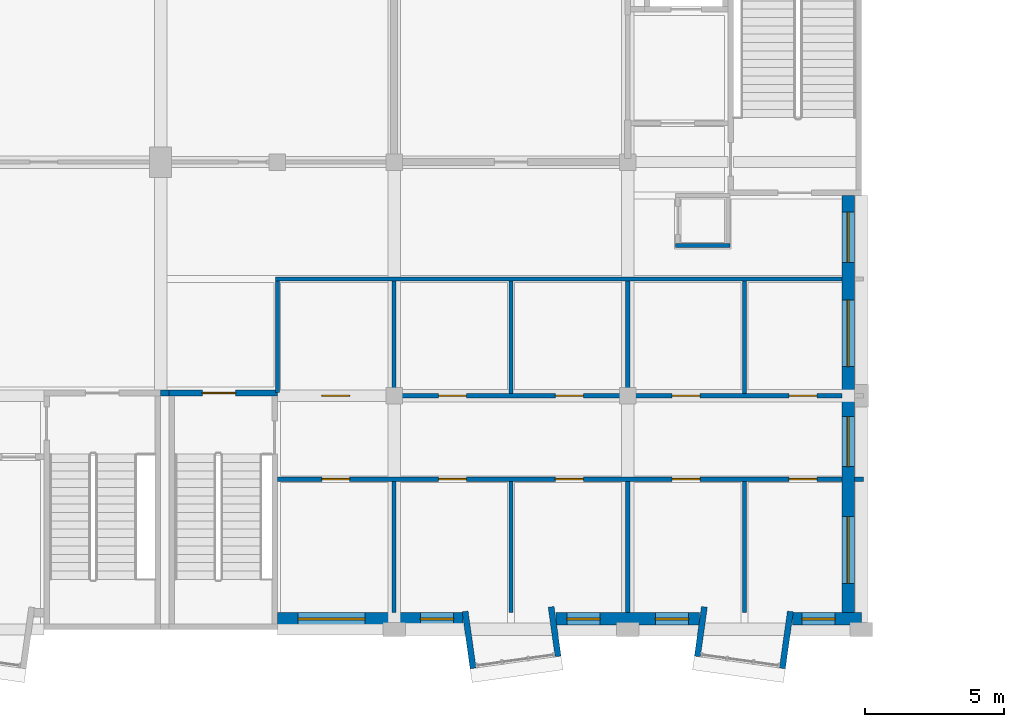
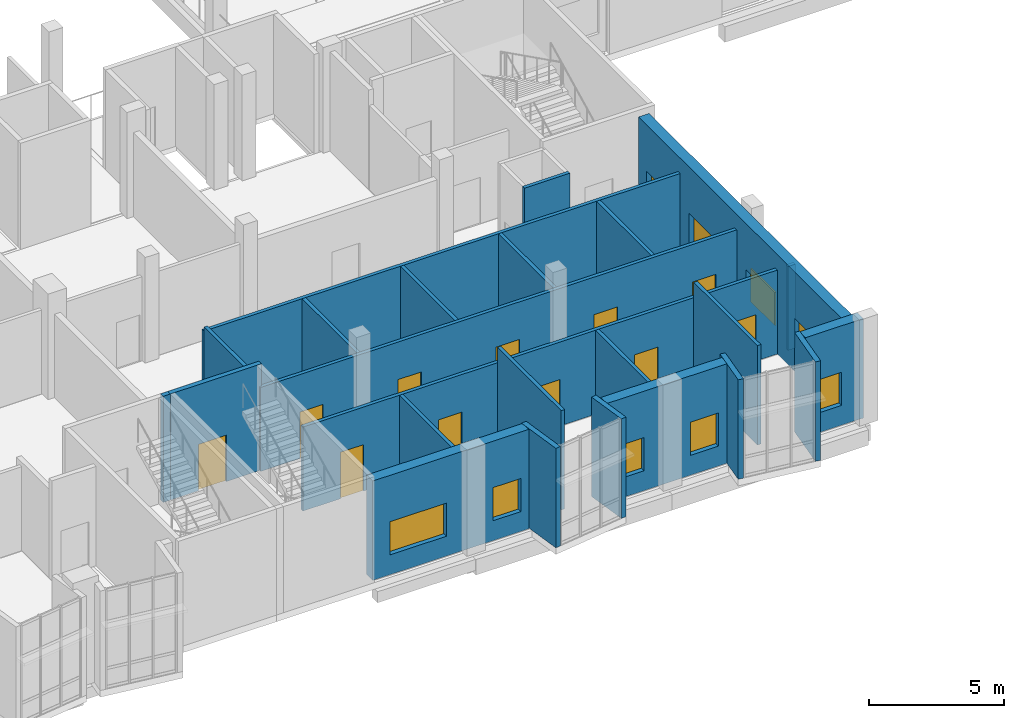
# One storey, part 31 of 91: 24 walls, 11 doors, 9 windows, 20 openings.
"""IFC4 building model written with IfcOpenShell, lengths in metres."""

from ifc_helpers import new_model, si_unit, direction, frame, frame_2d, origin, place, context, subcontext, project, spatial, rectangle, extrude, material, layer, layer_set, type_object, element, fill, save


model = new_model("IFC4")

# Units and contexts
model_context = context("Model", 3, precision=1e-05, world=origin(), true_north=direction((0.0, 1.0)))
body_context = subcontext(model_context, "Body", "Model", "MODEL_VIEW")
ifc_project = project(units=[si_unit("LENGTHUNIT", "METRE"), si_unit("AREAUNIT", "SQUARE_METRE"), si_unit("VOLUMEUNIT", "CUBIC_METRE"), si_unit("PLANEANGLEUNIT", "RADIAN"), si_unit("MASSUNIT", "GRAM", prefix="KILO")], contexts=[model_context])

# Site, building, storey
site_placement = place(None, origin())
site = spatial("IfcSite", under=ifc_project, at=site_placement, CompositionType="ELEMENT")
building_placement = place(site_placement, origin())
building = spatial("IfcBuilding", under=site, at=building_placement, Name="Kiln Court Media Centre", CompositionType="ELEMENT")
storey_placement = place(building_placement, frame((0.0, 0.0, 5.39990234375)))
storey = spatial("IfcBuildingStorey", under=building, at=storey_placement, Name="L01", CompositionType="ELEMENT", Elevation=5.39990234375)

# Walls
ifc_material_1 = material(Name="Brick masonry facing leaf with RC backing", Category="masonry")
ifc_layer_1 = layer(ifc_material_1, 0.215087890625)
ifc_layer_set_1 = layer_set([ifc_layer_1], Name="Brick masonry bay cheek wall 215")
wall_type_1 = type_object("IfcWallType", Name="Brick masonry bay cheek wall 215", PredefinedType="SOLIDWALL", material=ifc_layer_set_1)
wall_1_placement = place(storey_placement, frame((44.5517578125, 0.64501953125, 0.0), z_axis=(0.0, 0.0, 1.0), x_axis=(0.139173441018, -0.990268020949, 0.0)))
element("IfcWall", 1, at=wall_1_placement, inside=storey, type_object=wall_type_1, Name="BAY V6B-S-L01-02 cheek L", PredefinedType="SOLIDWALL", context=body_context, shape_type="SweptSolid", body=[
    extrude(rectangle(XDim=2.068115234375, YDim=0.215087890625, at=frame_2d((1.0341796875, 0.0))), origin(), (0.0, 0.0, 1.0), 4.5),
])
for number, where, z_axis, x_axis, name in (
    (2, (47.64404296875, 0.808837890625, 0.0), (0.0, 0.0, 1.0), (0.139161311926, -0.990269725511, 0.0), "BAY V6B-S-L01-02 cheek R"),
    (3, (53.156005859375, 0.808837890625, 0.0), (0.0, 0.0, 1.0), (-0.139161311926, -0.990269725511, 0.0), "BAY V6B-S-L01-03 cheek L"),
):
    element("IfcWall", number, at=place(storey_placement, frame(where, z_axis=z_axis, x_axis=x_axis)), inside=storey, type_object=wall_type_1, Name=name, PredefinedType="SOLIDWALL", context=body_context, shape_type="SweptSolid", body=[
        extrude(rectangle(XDim=1.800048828125, YDim=0.215087890625, at=frame_2d((0.89990234375, 0.0))), origin(), (0.0, 0.0, 1.0), 4.5),
    ])
wall_2_placement = place(storey_placement, frame((56.248291015625, 0.64501953125, 0.0), z_axis=(0.0, 0.0, 1.0), x_axis=(-0.139173441018, -0.990268020949, 0.0)))
element("IfcWall", 4, at=wall_2_placement, inside=storey, type_object=wall_type_1, Name="BAY V6B-S-L01-03 cheek R", PredefinedType="SOLIDWALL", context=body_context, shape_type="SweptSolid", body=[
    extrude(rectangle(XDim=2.068115234375, YDim=0.215087890625, at=frame_2d((1.0341796875, 0.0))), origin(), (0.0, 0.0, 1.0), 4.5),
])

# Wall, openings, windows
ifc_material_2 = material(Name="Brick masonry facing leaf with RC backing", Category="masonry")
ifc_layer_2 = layer(ifc_material_2, 0.449951171875)
ifc_layer_set_2 = layer_set([ifc_layer_2], Name="Brick masonry cavity wall 450")
wall_type_2 = type_object("IfcWallType", Name="Brick masonry cavity wall 450", PredefinedType="SOLIDWALL", material=ifc_layer_set_2)
wall_3_placement = place(storey_placement, frame((58.324951171875, 15.60009765625, 0.0), z_axis=(0.0, 0.0, 1.0), x_axis=(0.0, -1.0, 0.0)))
wall_3 = element("IfcWall", 5, at=wall_3_placement, inside=storey, type_object=wall_type_2, Name="V6B-E facade L01 3044", PredefinedType="SOLIDWALL", context=body_context, shape_type="SweptSolid", body=[
    extrude(rectangle(XDim=15.0, YDim=0.449951171875, at=frame_2d((7.5, 0.0))), origin(), (0.0, 0.0, 1.0), 4.5),
])
opening_1_placement = place(wall_3_placement, frame((11.550048828125, 0.0, 0.89990234375)))
opening_1 = element("IfcOpeningElement", 6, at=opening_1_placement, cuts=wall_3, Name="Opening WN1002", PredefinedType="OPENING", context=body_context, shape_type="SweptSolid", body=[
    extrude(rectangle(XDim=2.39990234375, YDim=1.5, at=frame_2d((1.199951171875, 0.75))), frame((0.0, 0.23486328125, 0.0), z_axis=(0.0, -1.0, 0.0), x_axis=(1.0, 0.0, 0.0)), (0.0, 0.0, 1.0), 0.469970703125),
])
opening_2_placement = place(wall_3_placement, frame((7.949951171875, 0.0, 0.89990234375)))
opening_2 = element("IfcOpeningElement", 7, at=opening_2_placement, cuts=wall_3, Name="Opening WN1003", PredefinedType="OPENING", context=body_context, shape_type="SweptSolid", body=[
    extrude(rectangle(XDim=1.800048828125, YDim=1.5, at=frame_2d((0.89990234375, 0.75))), frame((0.0, 0.23486328125, 0.0), z_axis=(0.0, -1.0, 0.0), x_axis=(1.0, 0.0, 0.0)), (0.0, 0.0, 1.0), 0.469970703125),
])
opening_3_placement = place(wall_3_placement, frame((3.75, 0.0, 0.89990234375)))
opening_3 = element("IfcOpeningElement", 8, at=opening_3_placement, cuts=wall_3, Name="Opening WN1004", PredefinedType="OPENING", context=body_context, shape_type="SweptSolid", body=[
    extrude(rectangle(XDim=2.39990234375, YDim=1.5, at=frame_2d((1.199951171875, 0.75))), frame((0.0, 0.23486328125, 0.0), z_axis=(0.0, -1.0, 0.0), x_axis=(1.0, 0.0, 0.0)), (0.0, 0.0, 1.0), 0.469970703125),
])
opening_4_placement = place(wall_3_placement, frame((0.60009765625, 0.0, 0.89990234375)))
opening_4 = element("IfcOpeningElement", 9, at=opening_4_placement, cuts=wall_3, Name="Opening WN1005", PredefinedType="OPENING", context=body_context, shape_type="SweptSolid", body=[
    extrude(rectangle(XDim=1.800048828125, YDim=1.5, at=frame_2d((0.89990234375, 0.75))), frame((0.0, 0.23486328125, 0.0), z_axis=(0.0, -1.0, 0.0), x_axis=(1.0, 0.0, 0.0)), (0.0, 0.0, 1.0), 0.469970703125),
])
ifc_material_3 = material(Name="Aluminium 6063-T6", Category="aluminium")
window_type_1 = type_object("IfcWindowType", Name="Aluminium window 1800x1500", PartitioningType="DOUBLE_PANEL_VERTICAL", PredefinedType="WINDOW", material=ifc_material_3)
window_1_placement = place(opening_2_placement, origin())
window_1 = element("IfcWindow", 10, at=window_1_placement, inside=storey, type_object=window_type_1, Name="WA window WN1003", OverallHeight=1.5, OverallWidth=1.800048828125, PartitioningType="SINGLE_PANEL", PredefinedType="WINDOW", context=body_context, shape_type="SweptSolid", body=[
    extrude(rectangle(XDim=1.800048828125, YDim=1.5, at=frame_2d((0.89990234375, 0.75))), frame((0.0, 0.030029296875, 0.0), z_axis=(0.0, -1.0, 0.0), x_axis=(1.0, 0.0, 0.0)), (0.0, 0.0, 1.0), 0.06005859375),
])
fill(opening_2, window_1)
window_2_placement = place(opening_4_placement, origin())
window_2 = element("IfcWindow", 11, at=window_2_placement, inside=storey, type_object=window_type_1, Name="WA window WN1005", OverallHeight=1.5, OverallWidth=1.800048828125, PartitioningType="SINGLE_PANEL", PredefinedType="WINDOW", context=body_context, shape_type="SweptSolid", body=[
    extrude(rectangle(XDim=1.800048828125, YDim=1.5, at=frame_2d((0.89990234375, 0.75))), frame((0.0, 0.030029296875, 0.0), z_axis=(0.0, -1.0, 0.0), x_axis=(1.0, 0.0, 0.0)), (0.0, 0.0, 1.0), 0.06005859375),
])
fill(opening_4, window_2)
ifc_material_4 = material(Name="Aluminium 6063-T6", Category="aluminium")
window_type_2 = type_object("IfcWindowType", Name="Aluminium window 2400x1500", PartitioningType="TRIPLE_PANEL_VERTICAL", PredefinedType="WINDOW", material=ifc_material_4)
window_3_placement = place(opening_1_placement, origin())
window_3 = element("IfcWindow", 12, at=window_3_placement, inside=storey, type_object=window_type_2, Name="WC window WN1002", OverallHeight=1.5, OverallWidth=2.39990234375, PartitioningType="SINGLE_PANEL", PredefinedType="WINDOW", context=body_context, shape_type="SweptSolid", body=[
    extrude(rectangle(XDim=2.39990234375, YDim=1.5, at=frame_2d((1.199951171875, 0.75))), frame((0.0, 0.030029296875, 0.0), z_axis=(0.0, -1.0, 0.0), x_axis=(1.0, 0.0, 0.0)), (0.0, 0.0, 1.0), 0.06005859375),
])
fill(opening_1, window_3)
window_4_placement = place(opening_3_placement, origin())
window_4 = element("IfcWindow", 13, at=window_4_placement, inside=storey, type_object=window_type_2, Name="WC window WN1004", OverallHeight=1.5, OverallWidth=2.39990234375, PartitioningType="SINGLE_PANEL", PredefinedType="WINDOW", context=body_context, shape_type="SweptSolid", body=[
    extrude(rectangle(XDim=2.39990234375, YDim=1.5, at=frame_2d((1.199951171875, 0.75))), frame((0.0, 0.030029296875, 0.0), z_axis=(0.0, -1.0, 0.0), x_axis=(1.0, 0.0, 0.0)), (0.0, 0.0, 1.0), 0.06005859375),
])
fill(opening_3, window_4)

wall_4_placement = place(storey_placement, frame((44.481201171875, 0.375, 0.0), z_axis=(0.0, 0.0, 1.0), x_axis=(-1.0, 0.0, 0.0)))
wall_4 = element("IfcWall", 14, at=wall_4_placement, inside=storey, type_object=wall_type_2, Name="V6B-S facade L01 3049", PredefinedType="SOLIDWALL", context=body_context, shape_type="SweptSolid", body=[
    extrude(rectangle(XDim=6.68115234375, YDim=0.449951171875, at=frame_2d((3.340576171875, 0.0))), origin(), (0.0, 0.0, 1.0), 4.5),
])
opening_5_placement = place(wall_4_placement, frame((3.531005859375, 0.0, 0.89990234375)))
opening_5 = element("IfcOpeningElement", 15, at=opening_5_placement, cuts=wall_4, Name="Opening WN1006", PredefinedType="OPENING", context=body_context, shape_type="SweptSolid", body=[
    extrude(rectangle(XDim=2.39990234375, YDim=1.5, at=frame_2d((1.199951171875, 0.75))), frame((0.0, 0.23486328125, 0.0), z_axis=(0.0, -1.0, 0.0), x_axis=(1.0, 0.0, 0.0)), (0.0, 0.0, 1.0), 0.469970703125),
])
opening_6_placement = place(wall_4_placement, frame((0.340576171875, 0.0, 0.89990234375)))
opening_6 = element("IfcOpeningElement", 16, at=opening_6_placement, cuts=wall_4, Name="Opening WN1007", PredefinedType="OPENING", context=body_context, shape_type="SweptSolid", body=[
    extrude(rectangle(XDim=1.199951171875, YDim=1.5, at=frame_2d((0.60009765625, 0.75))), frame((0.0, 0.23486328125, 0.0), z_axis=(0.0, -1.0, 0.0), x_axis=(1.0, 0.0, 0.0)), (0.0, 0.0, 1.0), 0.469970703125),
])
ifc_material_5 = material(Name="Aluminium 6063-T6", Category="aluminium")
window_type_3 = type_object("IfcWindowType", Name="Aluminium window 1200x1500", PartitioningType="DOUBLE_PANEL_VERTICAL", PredefinedType="WINDOW", material=ifc_material_5)
window_5_placement = place(opening_6_placement, origin())
window_5 = element("IfcWindow", 17, at=window_5_placement, inside=storey, type_object=window_type_3, Name="WB window WN1007", OverallHeight=1.5, OverallWidth=1.199951171875, PartitioningType="SINGLE_PANEL", PredefinedType="WINDOW", context=body_context, shape_type="SweptSolid", body=[
    extrude(rectangle(XDim=1.199951171875, YDim=1.5, at=frame_2d((0.60009765625, 0.75))), frame((0.0, 0.030029296875, 0.0), z_axis=(0.0, -1.0, 0.0), x_axis=(1.0, 0.0, 0.0)), (0.0, 0.0, 1.0), 0.06005859375),
])
fill(opening_6, window_5)
window_6_placement = place(opening_5_placement, origin())
window_6 = element("IfcWindow", 18, at=window_6_placement, inside=storey, type_object=window_type_2, Name="WC window WN1006", OverallHeight=1.5, OverallWidth=2.39990234375, PartitioningType="SINGLE_PANEL", PredefinedType="WINDOW", context=body_context, shape_type="SweptSolid", body=[
    extrude(rectangle(XDim=2.39990234375, YDim=1.5, at=frame_2d((1.199951171875, 0.75))), frame((0.0, 0.030029296875, 0.0), z_axis=(0.0, -1.0, 0.0), x_axis=(1.0, 0.0, 0.0)), (0.0, 0.0, 1.0), 0.06005859375),
])
fill(opening_5, window_6)

wall_5_placement = place(storey_placement, frame((52.986572265625, 0.375, 0.0), z_axis=(0.0, 0.0, 1.0), x_axis=(-1.0, 0.0, 0.0)))
wall_5 = element("IfcWall", 19, at=wall_5_placement, inside=storey, type_object=wall_type_2, Name="V6B-S facade L01 3050", PredefinedType="SOLIDWALL", context=body_context, shape_type="SweptSolid", body=[
    extrude(rectangle(XDim=5.173095703125, YDim=0.449951171875, at=frame_2d((2.58642578125, 0.0))), origin(), (0.0, 0.0, 1.0), 4.5),
])
opening_7_placement = place(wall_5_placement, frame((3.579833984375, 0.0, 0.89990234375)))
opening_7 = element("IfcOpeningElement", 20, at=opening_7_placement, cuts=wall_5, Name="Opening WN1008", PredefinedType="OPENING", context=body_context, shape_type="SweptSolid", body=[
    extrude(rectangle(XDim=1.199951171875, YDim=1.5, at=frame_2d((0.60009765625, 0.75))), frame((0.0, 0.23486328125, 0.0), z_axis=(0.0, -1.0, 0.0), x_axis=(1.0, 0.0, 0.0)), (0.0, 0.0, 1.0), 0.469970703125),
])
opening_8_placement = place(wall_5_placement, frame((0.393310546875, 0.0, 0.89990234375)))
opening_8 = element("IfcOpeningElement", 21, at=opening_8_placement, cuts=wall_5, Name="Opening WN1009", PredefinedType="OPENING", context=body_context, shape_type="SweptSolid", body=[
    extrude(rectangle(XDim=1.199951171875, YDim=1.5, at=frame_2d((0.60009765625, 0.75))), frame((0.0, 0.23486328125, 0.0), z_axis=(0.0, -1.0, 0.0), x_axis=(1.0, 0.0, 0.0)), (0.0, 0.0, 1.0), 0.469970703125),
])
window_7_placement = place(opening_7_placement, origin())
window_7 = element("IfcWindow", 22, at=window_7_placement, inside=storey, type_object=window_type_3, Name="WB window WN1008", OverallHeight=1.5, OverallWidth=1.199951171875, PartitioningType="SINGLE_PANEL", PredefinedType="WINDOW", context=body_context, shape_type="SweptSolid", body=[
    extrude(rectangle(XDim=1.199951171875, YDim=1.5, at=frame_2d((0.60009765625, 0.75))), frame((0.0, 0.030029296875, 0.0), z_axis=(0.0, -1.0, 0.0), x_axis=(1.0, 0.0, 0.0)), (0.0, 0.0, 1.0), 0.06005859375),
])
fill(opening_7, window_7)
window_8_placement = place(opening_8_placement, origin())
window_8 = element("IfcWindow", 23, at=window_8_placement, inside=storey, type_object=window_type_3, Name="WB window WN1009", OverallHeight=1.5, OverallWidth=1.199951171875, PartitioningType="SINGLE_PANEL", PredefinedType="WINDOW", context=body_context, shape_type="SweptSolid", body=[
    extrude(rectangle(XDim=1.199951171875, YDim=1.5, at=frame_2d((0.60009765625, 0.75))), frame((0.0, 0.030029296875, 0.0), z_axis=(0.0, -1.0, 0.0), x_axis=(1.0, 0.0, 0.0)), (0.0, 0.0, 1.0), 0.06005859375),
])
fill(opening_8, window_8)

# Wall, opening, window
wall_6_placement = place(storey_placement, frame((58.800048828125, 0.375, 0.0), z_axis=(0.0, 0.0, 1.0), x_axis=(-1.0, 0.0, 0.0)))
wall_6 = element("IfcWall", 24, at=wall_6_placement, inside=storey, type_object=wall_type_2, Name="V6B-S facade L01 3051", PredefinedType="SOLIDWALL", context=body_context, shape_type="SweptSolid", body=[
    extrude(rectangle(XDim=2.481201171875, YDim=0.449951171875, at=frame_2d((1.24072265625, 0.0))), origin(), (0.0, 0.0, 1.0), 4.5),
])
opening_9_placement = place(wall_6_placement, frame((0.940673828125, 0.0, 0.89990234375)))
opening_9 = element("IfcOpeningElement", 25, at=opening_9_placement, cuts=wall_6, Name="Opening WN1010", PredefinedType="OPENING", context=body_context, shape_type="SweptSolid", body=[
    extrude(rectangle(XDim=1.199951171875, YDim=1.5, at=frame_2d((0.60009765625, 0.75))), frame((0.0, 0.23486328125, 0.0), z_axis=(0.0, -1.0, 0.0), x_axis=(1.0, 0.0, 0.0)), (0.0, 0.0, 1.0), 0.469970703125),
])
window_9_placement = place(opening_9_placement, origin())
window_9 = element("IfcWindow", 26, at=window_9_placement, inside=storey, type_object=window_type_3, Name="WB window WN1010", OverallHeight=1.5, OverallWidth=1.199951171875, PartitioningType="SINGLE_PANEL", PredefinedType="WINDOW", context=body_context, shape_type="SweptSolid", body=[
    extrude(rectangle(XDim=1.199951171875, YDim=1.5, at=frame_2d((0.60009765625, 0.75))), frame((0.0, 0.030029296875, 0.0), z_axis=(0.0, -1.0, 0.0), x_axis=(1.0, 0.0, 0.0)), (0.0, 0.0, 1.0), 0.06005859375),
])
fill(opening_9, window_9)

# Wall, opening, door
ifc_material_6 = material(Name="Concrete C40/50", Category="concrete")
ifc_layer_3 = layer(ifc_material_6, 0.199951171875)
ifc_layer_set_3 = layer_set([ifc_layer_3], Name="Concrete C40/50 shear wall 200")
wall_type_3 = type_object("IfcWallType", Name="Concrete C40/50 shear wall 200", PredefinedType="SHEAR", material=ifc_layer_set_3)
wall_7_placement = place(storey_placement, frame((33.89990234375, 8.5, 0.0), z_axis=(0.0, 0.0, 1.0), x_axis=(1.0, 0.0, 0.0)))
wall_7 = element("IfcWall", 27, at=wall_7_placement, inside=storey, type_object=wall_type_3, Name="L01-W-1013", PredefinedType="SHEAR", context=body_context, shape_type="SweptSolid", body=[
    extrude(rectangle(XDim=3.900146484375, YDim=0.199951171875, at=frame_2d((1.9501953125, 0.0))), origin(), (0.0, 0.0, 1.0), 4.800048828125),
])
opening_10_placement = place(wall_7_placement, frame((1.2001953125, 0.0, 0.0)))
opening_10 = element("IfcOpeningElement", 28, at=opening_10_placement, cuts=wall_7, Name="Opening D1016", PredefinedType="OPENING", context=body_context, shape_type="SweptSolid", body=[
    extrude(rectangle(XDim=1.199951171875, YDim=2.10009765625, at=frame_2d((0.60009765625, 1.050048828125))), frame((0.0, 0.10986328125, 0.0), z_axis=(0.0, -1.0, 0.0), x_axis=(1.0, 0.0, 0.0)), (0.0, 0.0, 1.0), 0.219970703125),
])
ifc_material_7 = material(Name="Steel S275", Category="steel")
door_type_1 = type_object("IfcDoorType", Name="Steel stair door 1200 x 2100 FD180", OperationType="SINGLE_SWING_LEFT", PredefinedType="DOOR", material=ifc_material_7)
door_1_placement = place(opening_10_placement, origin())
door_1 = element("IfcDoor", 29, at=door_1_placement, inside=storey, type_object=door_type_1, Name="Stair 4 / Stair 4 Lobby", OperationType="SINGLE_SWING_RIGHT", OverallHeight=2.10009765625, OverallWidth=1.199951171875, PredefinedType="DOOR", context=body_context, shape_type="SweptSolid", body=[
    extrude(rectangle(XDim=1.199951171875, YDim=2.10009765625, at=frame_2d((0.60009765625, 1.050048828125))), frame((0.0, 0.02490234375, 0.0), z_axis=(0.0, -1.0, 0.0), x_axis=(1.0, 0.0, 0.0)), (0.0, 0.0, 1.0), 0.050048828125),
])
fill(opening_10, door_1)

# Wall
wall_8_placement = place(storey_placement, frame((33.60009765625, 8.5, 0.0), z_axis=(0.0, 0.0, 1.0), x_axis=(1.0, 0.0, 0.0)))
element("IfcWall", 30, at=wall_8_placement, inside=storey, type_object=wall_type_3, Name="L01-W-1150", PredefinedType="SHEAR", context=body_context, shape_type="SweptSolid", body=[
    extrude(rectangle(XDim=0.2998046875, YDim=0.199951171875, at=frame_2d((0.14990234375, 0.0))), origin(), (0.0, 0.0, 1.0), 4.800048828125),
])

# Wall, openings, doors
ifc_material_8 = material(Name="Gypsum plasterboard", Category="gypsum")
ifc_layer_4 = layer(ifc_material_8, 0.14990234375)
ifc_layer_set_4 = layer_set([ifc_layer_4], Name="Gypsum corridor partition 150 EI 60")
wall_type_4 = type_object("IfcWallType", Name="Gypsum corridor partition 150 EI 60", PredefinedType="PARTITIONING", material=ifc_layer_set_4)
wall_9_placement = place(storey_placement, frame((37.800048828125, 5.39990234375, 0.0), z_axis=(0.0, 0.0, 1.0), x_axis=(1.0, 0.0, 0.0)))
wall_9 = element("IfcWall", 31, at=wall_9_placement, inside=storey, type_object=wall_type_4, Name="L01 gypsum corridor partition", PredefinedType="PARTITIONING", context=body_context, shape_type="SweptSolid", body=[
    extrude(rectangle(XDim=20.300048828125, YDim=0.14990234375, at=frame_2d((10.14990234375, 0.0))), origin(), (0.0, 0.0, 1.0), 3.800048828125),
])
opening_11_placement = place(wall_9_placement, frame((1.60009765625, 0.0, 0.0)))
opening_11 = element("IfcOpeningElement", 32, at=opening_11_placement, cuts=wall_9, Name="Opening D1044", PredefinedType="OPENING", context=body_context, shape_type="SweptSolid", body=[
    extrude(rectangle(XDim=1.0, YDim=2.10009765625, at=frame_2d((0.5, 1.050048828125))), frame((0.0, 0.0849609375, 0.0), z_axis=(0.0, -1.0, 0.0), x_axis=(1.0, 0.0, 0.0)), (0.0, 0.0, 1.0), 0.169921875),
])
opening_12_placement = place(wall_9_placement, frame((5.800048828125, 0.0, 0.0)))
opening_12 = element("IfcOpeningElement", 33, at=opening_12_placement, cuts=wall_9, Name="Opening D1045", PredefinedType="OPENING", context=body_context, shape_type="SweptSolid", body=[
    extrude(rectangle(XDim=1.0, YDim=2.10009765625, at=frame_2d((0.5, 1.050048828125))), frame((0.0, 0.0849609375, 0.0), z_axis=(0.0, -1.0, 0.0), x_axis=(1.0, 0.0, 0.0)), (0.0, 0.0, 1.0), 0.169921875),
])
opening_13_placement = place(wall_9_placement, frame((10.0, 0.0, 0.0)))
opening_13 = element("IfcOpeningElement", 34, at=opening_13_placement, cuts=wall_9, Name="Opening D1046", PredefinedType="OPENING", context=body_context, shape_type="SweptSolid", body=[
    extrude(rectangle(XDim=1.0, YDim=2.10009765625, at=frame_2d((0.5, 1.050048828125))), frame((0.0, 0.0849609375, 0.0), z_axis=(0.0, -1.0, 0.0), x_axis=(1.0, 0.0, 0.0)), (0.0, 0.0, 1.0), 0.169921875),
])
opening_14_placement = place(wall_9_placement, frame((14.199951171875, 0.0, 0.0)))
opening_14 = element("IfcOpeningElement", 35, at=opening_14_placement, cuts=wall_9, Name="Opening D1047", PredefinedType="OPENING", context=body_context, shape_type="SweptSolid", body=[
    extrude(rectangle(XDim=1.0, YDim=2.10009765625, at=frame_2d((0.5, 1.050048828125))), frame((0.0, 0.0849609375, 0.0), z_axis=(0.0, -1.0, 0.0), x_axis=(1.0, 0.0, 0.0)), (0.0, 0.0, 1.0), 0.169921875),
])
opening_15_placement = place(wall_9_placement, frame((18.39990234375, 0.0, 0.0)))
opening_15 = element("IfcOpeningElement", 36, at=opening_15_placement, cuts=wall_9, Name="Opening D1048", PredefinedType="OPENING", context=body_context, shape_type="SweptSolid", body=[
    extrude(rectangle(XDim=1.0, YDim=2.10009765625, at=frame_2d((0.5, 1.050048828125))), frame((0.0, 0.0849609375, 0.0), z_axis=(0.0, -1.0, 0.0), x_axis=(1.0, 0.0, 0.0)), (0.0, 0.0, 1.0), 0.169921875),
])
ifc_material_9 = material(Name="Steel S275", Category="steel")
door_type_2 = type_object("IfcDoorType", Name="Steel corridor door 1000 x 2100 FD30S", OperationType="SINGLE_SWING_LEFT", PredefinedType="DOOR", material=ifc_material_9)
door_2_placement = place(opening_11_placement, origin())
door_2 = element("IfcDoor", 37, at=door_2_placement, inside=storey, type_object=door_type_2, Name="Editing Suite 11 / Suite Corridor", OperationType="SINGLE_SWING_RIGHT", OverallHeight=2.10009765625, OverallWidth=1.0, PredefinedType="DOOR", context=body_context, shape_type="SweptSolid", body=[
    extrude(rectangle(XDim=1.0, YDim=2.10009765625, at=frame_2d((0.5, 1.050048828125))), frame((0.0, 0.02490234375, 0.0), z_axis=(0.0, -1.0, 0.0), x_axis=(1.0, 0.0, 0.0)), (0.0, 0.0, 1.0), 0.050048828125),
])
fill(opening_11, door_2)
door_3_placement = place(opening_12_placement, origin())
door_3 = element("IfcDoor", 38, at=door_3_placement, inside=storey, type_object=door_type_2, Name="Editing Suite 12 / Suite Corridor", OperationType="SINGLE_SWING_RIGHT", OverallHeight=2.10009765625, OverallWidth=1.0, PredefinedType="DOOR", context=body_context, shape_type="SweptSolid", body=[
    extrude(rectangle(XDim=1.0, YDim=2.10009765625, at=frame_2d((0.5, 1.050048828125))), frame((0.0, 0.02490234375, 0.0), z_axis=(0.0, -1.0, 0.0), x_axis=(1.0, 0.0, 0.0)), (0.0, 0.0, 1.0), 0.050048828125),
])
fill(opening_12, door_3)
door_4_placement = place(opening_13_placement, origin())
door_4 = element("IfcDoor", 39, at=door_4_placement, inside=storey, type_object=door_type_2, Name="Editing Suite 13 / Suite Corridor", OperationType="SINGLE_SWING_LEFT", OverallHeight=2.10009765625, OverallWidth=1.0, PredefinedType="DOOR", context=body_context, shape_type="SweptSolid", body=[
    extrude(rectangle(XDim=1.0, YDim=2.10009765625, at=frame_2d((0.5, 1.050048828125))), frame((0.0, 0.02490234375, 0.0), z_axis=(0.0, -1.0, 0.0), x_axis=(1.0, 0.0, 0.0)), (0.0, 0.0, 1.0), 0.050048828125),
])
fill(opening_13, door_4)
door_5_placement = place(opening_14_placement, origin())
door_5 = element("IfcDoor", 40, at=door_5_placement, inside=storey, type_object=door_type_2, Name="Editing Suite 14 / Suite Corridor", OperationType="SINGLE_SWING_RIGHT", OverallHeight=2.10009765625, OverallWidth=1.0, PredefinedType="DOOR", context=body_context, shape_type="SweptSolid", body=[
    extrude(rectangle(XDim=1.0, YDim=2.10009765625, at=frame_2d((0.5, 1.050048828125))), frame((0.0, 0.02490234375, 0.0), z_axis=(0.0, -1.0, 0.0), x_axis=(1.0, 0.0, 0.0)), (0.0, 0.0, 1.0), 0.050048828125),
])
fill(opening_14, door_5)
door_6_placement = place(opening_15_placement, origin())
door_6 = element("IfcDoor", 41, at=door_6_placement, inside=storey, type_object=door_type_2, Name="Editing Suite 15 / Suite Corridor", OperationType="SINGLE_SWING_RIGHT", OverallHeight=2.10009765625, OverallWidth=1.0, PredefinedType="DOOR", context=body_context, shape_type="SweptSolid", body=[
    extrude(rectangle(XDim=1.0, YDim=2.10009765625, at=frame_2d((0.5, 1.050048828125))), frame((0.0, 0.02490234375, 0.0), z_axis=(0.0, -1.0, 0.0), x_axis=(1.0, 0.0, 0.0)), (0.0, 0.0, 1.0), 0.050048828125),
])
fill(opening_15, door_6)

# Wall
wall_10_placement = place(storey_placement, frame((58.550048828125, 5.39990234375, 0.0), z_axis=(0.0, 0.0, 1.0), x_axis=(1.0, 0.0, 0.0)))
element("IfcWall", 42, at=wall_10_placement, inside=storey, type_object=wall_type_4, Name="L01 gypsum corridor partition", PredefinedType="PARTITIONING", context=body_context, shape_type="SweptSolid", body=[
    extrude(rectangle(XDim=0.324951171875, YDim=0.14990234375, at=frame_2d((0.16259765625, 0.0))), origin(), (0.0, 0.0, 1.0), 3.800048828125),
])

# Wall, openings, doors
wall_11_placement = place(storey_placement, frame((37.72509765625, 8.39990234375, 0.0), z_axis=(0.0, 0.0, 1.0), x_axis=(1.0, 0.0, 0.0)))
wall_11 = element("IfcWall", 43, at=wall_11_placement, inside=storey, type_object=wall_type_4, Name="L01 gypsum corridor partition", PredefinedType="PARTITIONING", context=body_context, shape_type="SweptSolid", body=[
    extrude(rectangle(XDim=20.375, YDim=0.14990234375, at=frame_2d((10.1875, 0.0))), origin(), (0.0, 0.0, 1.0), 3.800048828125),
])
opening_16_placement = place(wall_11_placement, frame((1.675048828125, 0.0, 0.0)))
opening_16 = element("IfcOpeningElement", 44, at=opening_16_placement, cuts=wall_11, Name="Opening D1049", PredefinedType="OPENING", context=body_context, shape_type="SweptSolid", body=[
    extrude(rectangle(XDim=1.0, YDim=2.10009765625, at=frame_2d((0.5, 1.050048828125))), frame((0.0, 0.0849609375, 0.0), z_axis=(0.0, -1.0, 0.0), x_axis=(1.0, 0.0, 0.0)), (0.0, 0.0, 1.0), 0.169921875),
])
opening_17_placement = place(wall_11_placement, frame((5.875, 0.0, 0.0)))
opening_17 = element("IfcOpeningElement", 45, at=opening_17_placement, cuts=wall_11, Name="Opening D1050", PredefinedType="OPENING", context=body_context, shape_type="SweptSolid", body=[
    extrude(rectangle(XDim=1.0, YDim=2.10009765625, at=frame_2d((0.5, 1.050048828125))), frame((0.0, 0.0849609375, 0.0), z_axis=(0.0, -1.0, 0.0), x_axis=(1.0, 0.0, 0.0)), (0.0, 0.0, 1.0), 0.169921875),
])
opening_18_placement = place(wall_11_placement, frame((10.074951171875, 0.0, 0.0)))
opening_18 = element("IfcOpeningElement", 46, at=opening_18_placement, cuts=wall_11, Name="Opening D1051", PredefinedType="OPENING", context=body_context, shape_type="SweptSolid", body=[
    extrude(rectangle(XDim=1.0, YDim=2.10009765625, at=frame_2d((0.5, 1.050048828125))), frame((0.0, 0.0849609375, 0.0), z_axis=(0.0, -1.0, 0.0), x_axis=(1.0, 0.0, 0.0)), (0.0, 0.0, 1.0), 0.169921875),
])
opening_19_placement = place(wall_11_placement, frame((14.27490234375, 0.0, 0.0)))
opening_19 = element("IfcOpeningElement", 47, at=opening_19_placement, cuts=wall_11, Name="Opening D1052", PredefinedType="OPENING", context=body_context, shape_type="SweptSolid", body=[
    extrude(rectangle(XDim=1.0, YDim=2.10009765625, at=frame_2d((0.5, 1.050048828125))), frame((0.0, 0.0849609375, 0.0), z_axis=(0.0, -1.0, 0.0), x_axis=(1.0, 0.0, 0.0)), (0.0, 0.0, 1.0), 0.169921875),
])
opening_20_placement = place(wall_11_placement, frame((18.47509765625, 0.0, 0.0)))
opening_20 = element("IfcOpeningElement", 48, at=opening_20_placement, cuts=wall_11, Name="Opening D1053", PredefinedType="OPENING", context=body_context, shape_type="SweptSolid", body=[
    extrude(rectangle(XDim=1.0, YDim=2.10009765625, at=frame_2d((0.5, 1.050048828125))), frame((0.0, 0.0849609375, 0.0), z_axis=(0.0, -1.0, 0.0), x_axis=(1.0, 0.0, 0.0)), (0.0, 0.0, 1.0), 0.169921875),
])
door_7_placement = place(opening_16_placement, origin())
door_7 = element("IfcDoor", 49, at=door_7_placement, inside=storey, type_object=door_type_2, Name="Suite Corridor / Editing Suite 16", OperationType="SINGLE_SWING_RIGHT", OverallHeight=2.10009765625, OverallWidth=1.0, PredefinedType="DOOR", context=body_context, shape_type="SweptSolid", body=[
    extrude(rectangle(XDim=1.0, YDim=2.10009765625, at=frame_2d((0.5, 1.050048828125))), frame((0.0, 0.02490234375, 0.0), z_axis=(0.0, -1.0, 0.0), x_axis=(1.0, 0.0, 0.0)), (0.0, 0.0, 1.0), 0.050048828125),
])
fill(opening_16, door_7)
door_8_placement = place(opening_17_placement, origin())
door_8 = element("IfcDoor", 50, at=door_8_placement, inside=storey, type_object=door_type_2, Name="Suite Corridor / Editing Suite 17", OperationType="SINGLE_SWING_RIGHT", OverallHeight=2.10009765625, OverallWidth=1.0, PredefinedType="DOOR", context=body_context, shape_type="SweptSolid", body=[
    extrude(rectangle(XDim=1.0, YDim=2.10009765625, at=frame_2d((0.5, 1.050048828125))), frame((0.0, 0.02490234375, 0.0), z_axis=(0.0, -1.0, 0.0), x_axis=(1.0, 0.0, 0.0)), (0.0, 0.0, 1.0), 0.050048828125),
])
fill(opening_17, door_8)
door_9_placement = place(opening_18_placement, origin())
door_9 = element("IfcDoor", 51, at=door_9_placement, inside=storey, type_object=door_type_2, Name="Suite Corridor / Editing Suite 18", OperationType="SINGLE_SWING_LEFT", OverallHeight=2.10009765625, OverallWidth=1.0, PredefinedType="DOOR", context=body_context, shape_type="SweptSolid", body=[
    extrude(rectangle(XDim=1.0, YDim=2.10009765625, at=frame_2d((0.5, 1.050048828125))), frame((0.0, 0.02490234375, 0.0), z_axis=(0.0, -1.0, 0.0), x_axis=(1.0, 0.0, 0.0)), (0.0, 0.0, 1.0), 0.050048828125),
])
fill(opening_18, door_9)
door_10_placement = place(opening_19_placement, origin())
door_10 = element("IfcDoor", 52, at=door_10_placement, inside=storey, type_object=door_type_2, Name="Suite Corridor / Editing Suite 19", OperationType="SINGLE_SWING_RIGHT", OverallHeight=2.10009765625, OverallWidth=1.0, PredefinedType="DOOR", context=body_context, shape_type="SweptSolid", body=[
    extrude(rectangle(XDim=1.0, YDim=2.10009765625, at=frame_2d((0.5, 1.050048828125))), frame((0.0, 0.02490234375, 0.0), z_axis=(0.0, -1.0, 0.0), x_axis=(1.0, 0.0, 0.0)), (0.0, 0.0, 1.0), 0.050048828125),
])
fill(opening_19, door_10)
door_11_placement = place(opening_20_placement, origin())
door_11 = element("IfcDoor", 53, at=door_11_placement, inside=storey, type_object=door_type_2, Name="Suite Corridor / Editing Suite 20", OperationType="SINGLE_SWING_RIGHT", OverallHeight=2.10009765625, OverallWidth=1.0, PredefinedType="DOOR", context=body_context, shape_type="SweptSolid", body=[
    extrude(rectangle(XDim=1.0, YDim=2.10009765625, at=frame_2d((0.5, 1.050048828125))), frame((0.0, 0.02490234375, 0.0), z_axis=(0.0, -1.0, 0.0), x_axis=(1.0, 0.0, 0.0)), (0.0, 0.0, 1.0), 0.050048828125),
])
fill(opening_20, door_11)

# Walls
wall_12_placement = place(storey_placement, frame((37.72509765625, 12.60009765625, 0.0), z_axis=(0.0, 0.0, 1.0), x_axis=(1.0, 0.0, 0.0)))
element("IfcWall", 54, at=wall_12_placement, inside=storey, type_object=wall_type_4, Name="L01 gypsum corridor partition", PredefinedType="PARTITIONING", context=body_context, shape_type="SweptSolid", body=[
    extrude(rectangle(XDim=20.375, YDim=0.14990234375, at=frame_2d((10.1875, 0.0))), origin(), (0.0, 0.0, 1.0), 3.800048828125),
])
wall_13_placement = place(storey_placement, frame((52.125, 13.800048828125, 0.0), z_axis=(0.0, 0.0, 1.0), x_axis=(1.0, 0.0, 0.0)))
element("IfcWall", 55, at=wall_13_placement, inside=storey, type_object=wall_type_4, Name="L01 gypsum corridor partition", PredefinedType="PARTITIONING", context=body_context, shape_type="SweptSolid", body=[
    extrude(rectangle(XDim=1.949951171875, YDim=0.14990234375, at=frame_2d((0.97509765625, 0.0))), origin(), (0.0, 0.0, 1.0), 4.5),
])
wall_14_placement = place(storey_placement, frame((37.800048828125, 8.52490234375, 0.0), z_axis=(0.0, 0.0, 1.0), x_axis=(0.0, 1.0, 0.0)))
element("IfcWall", 56, at=wall_14_placement, inside=storey, type_object=wall_type_4, Name="L01 gypsum corridor partition", PredefinedType="PARTITIONING", context=body_context, shape_type="SweptSolid", body=[
    extrude(rectangle(XDim=4.0, YDim=0.14990234375, at=frame_2d((2.0, 0.0))), origin(), (0.0, 0.0, 1.0), 4.0),
])
wall_15_placement = place(storey_placement, frame((42.0, 0.60009765625, 0.0), z_axis=(0.0, 0.0, 1.0), x_axis=(0.0, 1.0, 0.0)))
element("IfcWall", 57, at=wall_15_placement, inside=storey, type_object=wall_type_4, Name="L01 gypsum corridor partition", PredefinedType="PARTITIONING", context=body_context, shape_type="SweptSolid", body=[
    extrude(rectangle(XDim=4.724853515625, YDim=0.14990234375, at=frame_2d((2.3623046875, 0.0))), origin(), (0.0, 0.0, 1.0), 3.800048828125),
])
wall_16_placement = place(storey_placement, frame((42.0, 8.47509765625, 0.0), z_axis=(0.0, 0.0, 1.0), x_axis=(0.0, 1.0, 0.0)))
element("IfcWall", 58, at=wall_16_placement, inside=storey, type_object=wall_type_4, Name="L01 gypsum corridor partition", PredefinedType="PARTITIONING", context=body_context, shape_type="SweptSolid", body=[
    extrude(rectangle(XDim=4.0498046875, YDim=0.14990234375, at=frame_2d((2.02490234375, 0.0))), origin(), (0.0, 0.0, 1.0), 3.800048828125),
])
wall_17_placement = place(storey_placement, frame((46.199951171875, 0.60009765625, 0.0), z_axis=(0.0, 0.0, 1.0), x_axis=(0.0, 1.0, 0.0)))
element("IfcWall", 59, at=wall_17_placement, inside=storey, type_object=wall_type_4, Name="L01 gypsum corridor partition", PredefinedType="PARTITIONING", context=body_context, shape_type="SweptSolid", body=[
    extrude(rectangle(XDim=4.724853515625, YDim=0.14990234375, at=frame_2d((2.3623046875, 0.0))), origin(), (0.0, 0.0, 1.0), 4.5),
])
wall_18_placement = place(storey_placement, frame((46.199951171875, 8.47509765625, 0.0), z_axis=(0.0, 0.0, 1.0), x_axis=(0.0, 1.0, 0.0)))
element("IfcWall", 60, at=wall_18_placement, inside=storey, type_object=wall_type_4, Name="L01 gypsum corridor partition", PredefinedType="PARTITIONING", context=body_context, shape_type="SweptSolid", body=[
    extrude(rectangle(XDim=4.0498046875, YDim=0.14990234375, at=frame_2d((2.02490234375, 0.0))), origin(), (0.0, 0.0, 1.0), 3.800048828125),
])
wall_19_placement = place(storey_placement, frame((50.39990234375, 0.60009765625, 0.0), z_axis=(0.0, 0.0, 1.0), x_axis=(0.0, 1.0, 0.0)))
element("IfcWall", 61, at=wall_19_placement, inside=storey, type_object=wall_type_4, Name="L01 gypsum corridor partition", PredefinedType="PARTITIONING", context=body_context, shape_type="SweptSolid", body=[
    extrude(rectangle(XDim=4.724853515625, YDim=0.14990234375, at=frame_2d((2.3623046875, 0.0))), origin(), (0.0, 0.0, 1.0), 3.800048828125),
])
wall_20_placement = place(storey_placement, frame((50.39990234375, 8.47509765625, 0.0), z_axis=(0.0, 0.0, 1.0), x_axis=(0.0, 1.0, 0.0)))
element("IfcWall", 62, at=wall_20_placement, inside=storey, type_object=wall_type_4, Name="L01 gypsum corridor partition", PredefinedType="PARTITIONING", context=body_context, shape_type="SweptSolid", body=[
    extrude(rectangle(XDim=4.0498046875, YDim=0.14990234375, at=frame_2d((2.02490234375, 0.0))), origin(), (0.0, 0.0, 1.0), 3.800048828125),
])
wall_21_placement = place(storey_placement, frame((54.60009765625, 0.60009765625, 0.0), z_axis=(0.0, 0.0, 1.0), x_axis=(0.0, 1.0, 0.0)))
element("IfcWall", 63, at=wall_21_placement, inside=storey, type_object=wall_type_4, Name="L01 gypsum corridor partition", PredefinedType="PARTITIONING", context=body_context, shape_type="SweptSolid", body=[
    extrude(rectangle(XDim=4.724853515625, YDim=0.14990234375, at=frame_2d((2.3623046875, 0.0))), origin(), (0.0, 0.0, 1.0), 4.5),
])
wall_22_placement = place(storey_placement, frame((54.60009765625, 8.47509765625, 0.0), z_axis=(0.0, 0.0, 1.0), x_axis=(0.0, 1.0, 0.0)))
element("IfcWall", 64, at=wall_22_placement, inside=storey, type_object=wall_type_4, Name="L01 gypsum corridor partition", PredefinedType="PARTITIONING", context=body_context, shape_type="SweptSolid", body=[
    extrude(rectangle(XDim=4.0498046875, YDim=0.14990234375, at=frame_2d((2.02490234375, 0.0))), origin(), (0.0, 0.0, 1.0), 3.800048828125),
])

save(model, "model.ifc")
